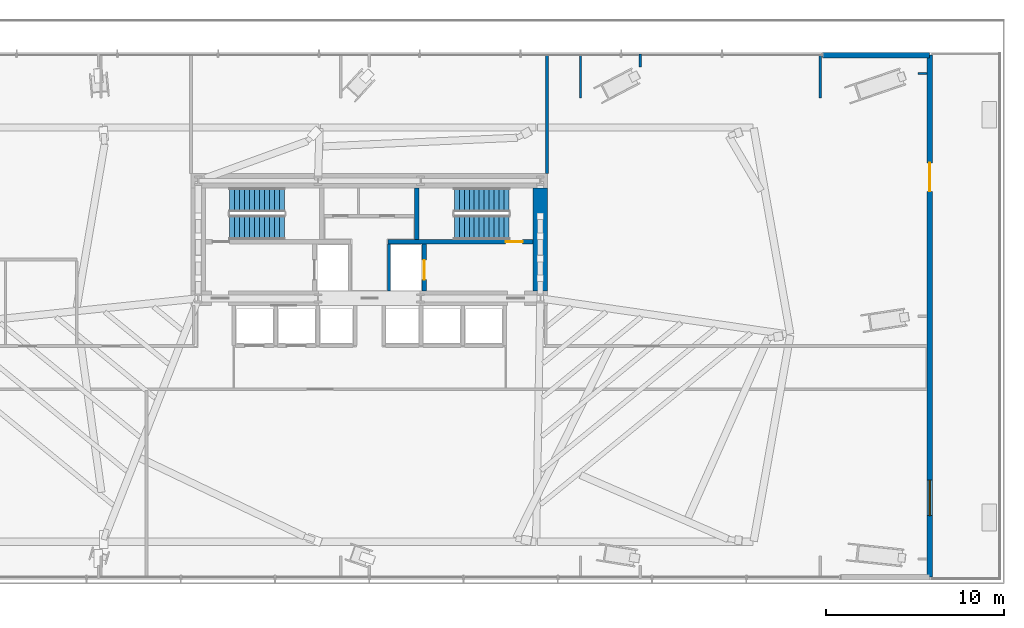
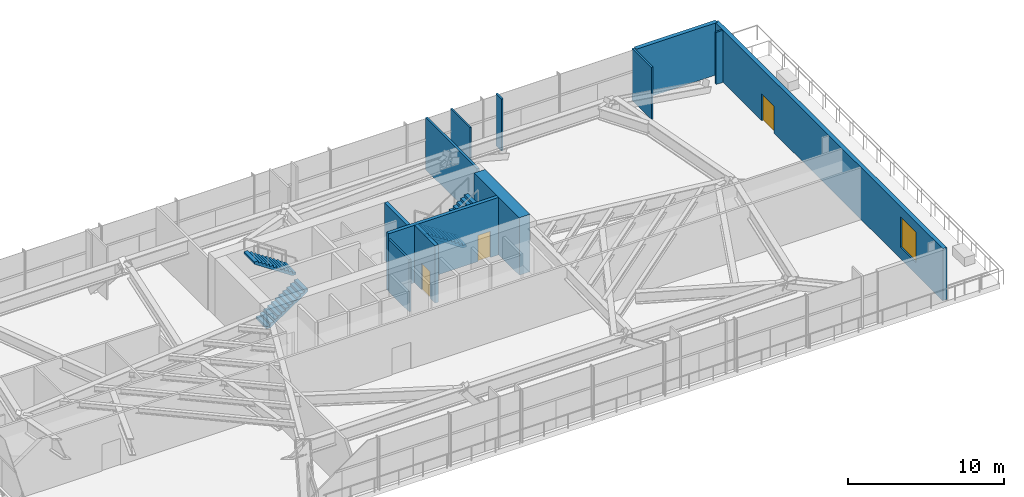
# One storey, part 22 of 29: 12 walls, 4 stair flights, 3 doors, 1 window, 4 openings, 2 elements without a shape of their own.
"""IFC4 building model written with IfcOpenShell, lengths in metres."""

from ifc_helpers import new_model, si_unit, direction, frame, frame_2d, origin, place, context, subcontext, project, spatial, polyline, rectangle, outline, extrude, source, transform, mapped, material, layer, layer_set, type_object, type_shapes, element, fill, aggregate, save


model = new_model("IFC4")

# Units and contexts
model_context = context("Model", 3, precision=1e-05, world=origin(), true_north=direction((0.0, 1.0)))
body_context = subcontext(model_context, "Body", "Model", "MODEL_VIEW")
ifc_project = project(units=[si_unit("LENGTHUNIT", "METRE"), si_unit("AREAUNIT", "SQUARE_METRE"), si_unit("VOLUMEUNIT", "CUBIC_METRE"), si_unit("PLANEANGLEUNIT", "RADIAN"), si_unit("MASSUNIT", "GRAM", prefix="KILO")], contexts=[model_context])

# Site, building, storey
site_placement = place(None, origin())
site = spatial("IfcSite", under=ifc_project, at=site_placement, CompositionType="ELEMENT")
building_placement = place(site_placement, origin())
building = spatial("IfcBuilding", under=site, at=building_placement, Name="Astriad Promenade Condominiums", CompositionType="ELEMENT")
storey_placement = place(building_placement, frame((0.0, 0.0, 18.5)))
storey = spatial("IfcBuildingStorey", under=building, at=storey_placement, Name="L04", CompositionType="ELEMENT", Elevation=18.5)

# Wall
ifc_material_1 = material(Name="Concrete C80/95", Category="concrete")
ifc_layer_1 = layer(ifc_material_1, 0.800048828125)
ifc_layer_set_1 = layer_set([ifc_layer_1], Name="Concrete C80/95")
wall_type_1 = type_object("IfcWallType", Name="CW-SHEAR-800", PredefinedType="SHEAR", material=ifc_layer_set_1)
wall_1_placement = place(storey_placement, frame((45.60009765625, 17.802001953125, 0.0), z_axis=(0.0, 0.0, 1.0), x_axis=(0.0, 1.0, 0.0)))
element("IfcWall", 1, at=wall_1_placement, inside=storey, type_object=wall_type_1, Name="CW-CORE-E-L04", PredefinedType="SHEAR", context=body_context, shape_type="SweptSolid", body=[
    extrude(rectangle(XDim=5.7958984375, YDim=0.800048828125, at=frame_2d((2.89794921875, 0.0))), origin(), (0.0, 0.0, 1.0), 4.5),
])

# Wall, opening, door
ifc_material_2 = material(Name="Concrete C50/60", Category="concrete")
ifc_layer_2 = layer(ifc_material_2, 0.25)
ifc_layer_set_2 = layer_set([ifc_layer_2], Name="Concrete C50/60")
wall_type_2 = type_object("IfcWallType", Name="WALL-CORE-INT-250", PredefinedType="SOLIDWALL", material=ifc_layer_set_2)
wall_2_placement = place(storey_placement, frame((37.050048828125, 20.574951171875, 0.0), z_axis=(0.0, 0.0, 1.0), x_axis=(1.0, 0.0, 0.0)))
wall_2 = element("IfcWall", 2, at=wall_2_placement, inside=storey, type_object=wall_type_2, Name="CW-INT-H2-L04", PredefinedType="SOLIDWALL", context=body_context, shape_type="SweptSolid", body=[
    extrude(rectangle(XDim=8.14794921875, YDim=0.25, at=frame_2d((4.073974609375, 0.0))), origin(), (0.0, 0.0, 1.0), 4.5),
])
opening_1_placement = place(wall_2_placement, frame((6.60009765625, 0.0, 0.0)))
opening_1 = element("IfcOpeningElement", 3, at=opening_1_placement, cuts=wall_2, Name="Opening FD90-ST-095", PredefinedType="OPENING", context=body_context, shape_type="SweptSolid", body=[
    extrude(rectangle(XDim=0.949951171875, YDim=2.06005859375, at=frame_2d((0.47509765625, 1.030029296875))), frame((0.0, 0.135009765625, 0.0), z_axis=(0.0, -1.0, 0.0), x_axis=(1.0, 0.0, 0.0)), (0.0, 0.0, 1.0), 0.27001953125),
])
ifc_material_3 = material(Name="Fire-Rated Hollow Metal Stair Door")
door_type_1 = type_object("IfcDoorType", Name="FD90-ST-095", OperationType="NOTDEFINED", PredefinedType="DOOR", material=ifc_material_3)
shared_shape_1 = source(origin(), body_context, "Body", "SweptSolid", [
    extrude(rectangle(XDim=0.949951171875, YDim=2.06005859375, at=frame_2d((0.47509765625, 1.030029296875))), frame((0.0, 0.02490234375, 0.0), z_axis=(0.0, -1.0, 0.0), x_axis=(1.0, 0.0, 0.0)), (0.0, 0.0, 1.0), 0.050048828125),
])
type_shapes(door_type_1, [shared_shape_1])
door_1_placement = place(opening_1_placement, origin())
door_1 = element("IfcDoor", 4, at=door_1_placement, inside=storey, type_object=door_type_1, Name="D-ST2-L04", OperationType="SINGLE_SWING_RIGHT", OverallHeight=2.06005859375, OverallWidth=0.949951171875, PredefinedType="DOOR", context=body_context, shape_type="MappedRepresentation", body=[
    mapped(shared_shape_1, transform((0.0, 0.0, 0.0), scale=1.0)),
])
fill(opening_1, door_1)

# Wall
wall_3_placement = place(storey_placement, frame((38.675048828125, 20.701904296875, 0.0), z_axis=(0.0, 0.0, 1.0), x_axis=(0.0, 1.0, 0.0)))
element("IfcWall", 5, at=wall_3_placement, inside=storey, type_object=wall_type_2, Name="CW-ST2-W-L04", PredefinedType="SOLIDWALL", context=body_context, shape_type="SweptSolid", body=[
    extrude(rectangle(XDim=2.89599609375, YDim=0.25, at=frame_2d((1.447998046875, 0.0))), origin(), (0.0, 0.0, 1.0), 4.5),
])

# Wall, opening, door
wall_4_placement = place(storey_placement, frame((39.074951171875, 17.802001953125, 0.0), z_axis=(0.0, 0.0, 1.0), x_axis=(0.0, 1.0, 0.0)))
wall_4 = element("IfcWall", 6, at=wall_4_placement, inside=storey, type_object=wall_type_2, Name="CW-FFL2-E-L04", PredefinedType="SOLIDWALL", context=body_context, shape_type="SweptSolid", body=[
    extrude(rectangle(XDim=2.64599609375, YDim=0.25, at=frame_2d((1.322998046875, 0.0))), origin(), (0.0, 0.0, 1.0), 4.5),
])
opening_2_placement = place(wall_4_placement, frame((0.64794921875, 0.0, 0.0)))
opening_2 = element("IfcOpeningElement", 7, at=opening_2_placement, cuts=wall_4, Name="Opening LD-FFL-1122", PredefinedType="OPENING", context=body_context, shape_type="SweptSolid", body=[
    extrude(rectangle(XDim=1.10009765625, YDim=2.080078125, at=frame_2d((0.550048828125, 1.0400390625))), frame((0.0, 0.135009765625, 0.0), z_axis=(0.0, -1.0, 0.0), x_axis=(1.0, 0.0, 0.0)), (0.0, 0.0, 1.0), 0.27001953125),
])
ifc_material_4 = material(Name="Brushed Stainless Steel Fire Elevator Landing Door", Category="steel")
door_type_2 = type_object("IfcDoorType", Name="LD-FFL-1122", OperationType="NOTDEFINED", PredefinedType="DOOR", material=ifc_material_4)
shared_shape_2 = source(origin(), body_context, "Body", "SweptSolid", [
    extrude(rectangle(XDim=1.10009765625, YDim=2.080078125, at=frame_2d((0.550048828125, 1.0400390625))), frame((0.0, 0.02490234375, 0.0), z_axis=(0.0, -1.0, 0.0), x_axis=(1.0, 0.0, 0.0)), (0.0, 0.0, 1.0), 0.050048828125),
])
type_shapes(door_type_2, [shared_shape_2])
door_2_placement = place(opening_2_placement, origin())
door_2 = element("IfcDoor", 8, at=door_2_placement, inside=storey, type_object=door_type_2, Name="Elevator Landing Door FFL-2 (L04)", OperationType="SLIDING_TO_RIGHT", OverallHeight=2.080078125, OverallWidth=1.10009765625, PredefinedType="DOOR", context=body_context, shape_type="MappedRepresentation", body=[
    mapped(shared_shape_2, transform((0.0, 0.0, 0.0), scale=1.0)),
])
fill(opening_2, door_2)

# Walls
ifc_material_5 = material(Name="Fire-Rated Gypsum Partition")
ifc_layer_3 = layer(ifc_material_5, 0.159912109375)
ifc_layer_set_3 = layer_set([ifc_layer_3], Name="Fire-Rated Gypsum Partition")
wall_type_3 = type_object("IfcWallType", Name="WALL-CORR-160", PredefinedType="PARTITIONING", material=ifc_layer_set_3)
wall_5_placement = place(storey_placement, frame((37.10009765625, 17.802001953125, 0.0), z_axis=(0.0, 0.0, 1.0), x_axis=(0.0, 1.0, 0.0)))
element("IfcWall", 9, at=wall_5_placement, inside=storey, type_object=wall_type_3, Name="CW-FFL2-W-L04", PredefinedType="PARTITIONING", context=body_context, shape_type="SweptSolid", body=[
    extrude(rectangle(XDim=2.64599609375, YDim=0.159912109375, at=frame_2d((1.322998046875, 0.0))), origin(), (0.0, 0.0, 1.0), 4.080078125),
])
wall_6_placement = place(storey_placement, frame((45.97998046875, 24.419921875, 0.0), z_axis=(0.0, 0.0, 1.0), x_axis=(0.0, 1.0, 0.0)))
element("IfcWall", 10, at=wall_6_placement, inside=storey, type_object=wall_type_3, Name="PT-L04-ESE", PredefinedType="PARTITIONING", context=body_context, shape_type="SweptSolid", body=[
    extrude(rectangle(XDim=6.630126953125, YDim=0.159912109375, at=frame_2d((3.31494140625, 0.0))), origin(), (0.0, 0.0, 1.0), 4.080078125),
])
ifc_material_6 = material(Name="Precast concrete C50/60", Category="concrete")
ifc_layer_4 = layer(ifc_material_6, 0.300048828125)
ifc_layer_set_4 = layer_set([ifc_layer_4], Name="Precast concrete C50/60")
wall_type_4 = type_object("IfcWallType", Name="WALL-EXT-POD-300", PredefinedType="STANDARD", material=ifc_layer_set_4)
wall_7_placement = place(storey_placement, frame((61.449951171875, 31.050048828125, 0.0), z_axis=(0.0, 0.0, 1.0), x_axis=(1.0, 0.0, 0.0)))
element("IfcWall", 11, at=wall_7_placement, inside=storey, type_object=wall_type_4, Name="W-EXT-L04-N2", PredefinedType="STANDARD", context=body_context, shape_type="SweptSolid", body=[
    extrude(rectangle(XDim=6.0, YDim=0.300048828125, at=frame_2d((3.0, 0.0))), origin(), (0.0, 0.0, 1.0), 4.080078125),
])

# Wall, openings, window, door
wall_8_placement = place(storey_placement, frame((67.449951171875, 31.050048828125, 0.0), z_axis=(0.0, 0.0, 1.0), x_axis=(0.0, -1.0, 0.0)))
wall_8 = element("IfcWall", 12, at=wall_8_placement, inside=storey, type_object=wall_type_4, Name="W-EXT-L04-E1", PredefinedType="STANDARD", context=body_context, shape_type="SweptSolid", body=[
    extrude(rectangle(XDim=29.300048828125, YDim=0.300048828125, at=frame_2d((14.64990234375, 0.0))), origin(), (0.0, 0.0, 1.0), 4.080078125),
])
opening_3_placement = place(wall_8_placement, frame((6.050048828125, 0.0, 0.0)))
opening_3 = element("IfcOpeningElement", 13, at=opening_3_placement, cuts=wall_8, Name="Opening TD-1622-TER", PredefinedType="OPENING", context=body_context, shape_type="SweptSolid", body=[
    extrude(rectangle(XDim=1.60009765625, YDim=2.10009765625, at=frame_2d((0.800048828125, 1.050048828125))), frame((0.0, 0.159912109375, 0.0), z_axis=(0.0, -1.0, 0.0), x_axis=(1.0, 0.0, 0.0)), (0.0, 0.0, 1.0), 0.320068359375),
])
opening_4_placement = place(wall_8_placement, frame((23.85009765625, 0.0, 0.89990234375)))
opening_4 = element("IfcOpeningElement", 14, at=opening_4_placement, cuts=wall_8, Name="Opening WIN-POD-2024", PredefinedType="OPENING", context=body_context, shape_type="SweptSolid", body=[
    extrude(rectangle(XDim=2.0, YDim=2.39990234375, at=frame_2d((1.0, 1.199951171875))), frame((0.0, 0.159912109375, 0.0), z_axis=(0.0, -1.0, 0.0), x_axis=(1.0, 0.0, 0.0)), (0.0, 0.0, 1.0), 0.320068359375),
])
ifc_material_7 = material(Name="Dark Tinted Storefront Window")
window_type = type_object("IfcWindowType", Name="WIN-POD-2024", PartitioningType="SINGLE_PANEL", PredefinedType="WINDOW", material=ifc_material_7)
shared_shape_3 = source(origin(), body_context, "Body", "SweptSolid", [
    extrude(rectangle(XDim=2.0, YDim=2.39990234375, at=frame_2d((1.0, 1.199951171875))), frame((0.0, 0.030029296875, 0.0), z_axis=(0.0, -1.0, 0.0), x_axis=(1.0, 0.0, 0.0)), (0.0, 0.0, 1.0), 0.06005859375),
])
type_shapes(window_type, [shared_shape_3])
window_placement = place(opening_4_placement, origin())
window = element("IfcWindow", 15, at=window_placement, inside=storey, type_object=window_type, Name="WIN-L04-E1", OverallHeight=2.39990234375, OverallWidth=2.0, PartitioningType="SINGLE_PANEL", PredefinedType="WINDOW", context=body_context, shape_type="MappedRepresentation", body=[
    mapped(shared_shape_3, transform((0.0, 0.0, 0.0), scale=1.0)),
])
fill(opening_4, window)
ifc_material_8 = material(Name="Thermally Broken Aluminium Terrace Double Door", Category="aluminium")
door_type_3 = type_object("IfcDoorType", Name="TD-1622-TER", OperationType="NOTDEFINED", PredefinedType="DOOR", material=ifc_material_8)
shared_shape_4 = source(origin(), body_context, "Body", "SweptSolid", [
    extrude(rectangle(XDim=1.60009765625, YDim=2.10009765625, at=frame_2d((0.800048828125, 1.050048828125))), frame((0.0, 0.02490234375, 0.0), z_axis=(0.0, -1.0, 0.0), x_axis=(1.0, 0.0, 0.0)), (0.0, 0.0, 1.0), 0.050048828125),
])
type_shapes(door_type_3, [shared_shape_4])
door_3_placement = place(opening_3_placement, origin())
door_3 = element("IfcDoor", 16, at=door_3_placement, inside=storey, type_object=door_type_3, Name="TD-L04", OperationType="DOUBLE_DOOR_SINGLE_SWING", OverallHeight=2.10009765625, OverallWidth=1.60009765625, PredefinedType="DOOR", context=body_context, shape_type="MappedRepresentation", body=[
    mapped(shared_shape_4, transform((0.0, 0.0, 0.0), scale=1.0)),
])
fill(opening_3, door_3)

# Walls
ifc_material_9 = material(Name="Acoustic Metal-Stud Gypsum Partition")
ifc_layer_5 = layer(ifc_material_9, 0.1201171875)
ifc_layer_set_5 = layer_set([ifc_layer_5], Name="Acoustic Metal-Stud Gypsum Partition")
wall_type_5 = type_object("IfcWallType", Name="WALL-PART-120", PredefinedType="PARTITIONING", material=ifc_layer_set_5)
for number, where, z_axis, x_axis, name in (
    (17, (47.85498046875, 28.64990234375, 0.0), (0.0, 0.0, 1.0), (0.0, 1.0, 0.0), "PT-PIL-L04-PC09-16"),
    (18, (61.31005859375, 28.64990234375, 0.0), (0.0, 0.0, 1.0), (0.0, 1.0, 0.0), "PT-PIL-L04-PC10-17"),
):
    element("IfcWall", number, at=place(storey_placement, frame(where, z_axis=z_axis, x_axis=x_axis)), inside=storey, type_object=wall_type_5, Name=name, PredefinedType="PARTITIONING", context=body_context, shape_type="SweptSolid", body=[
        extrude(rectangle(XDim=2.47021484375, YDim=0.1201171875, at=frame_2d((1.235107421875, 0.0))), origin(), (0.0, 0.0, 1.0), 4.080078125),
    ])
wall_9_placement = place(storey_placement, frame((51.2099609375, 30.39990234375, 0.0), z_axis=(0.0, 0.0, 1.0), x_axis=(0.0, 1.0, 0.0)))
element("IfcWall", 19, at=wall_9_placement, inside=storey, type_object=wall_type_5, Name="PT-PIL-L04-PC09-28", PredefinedType="PARTITIONING", context=body_context, shape_type="SweptSolid", body=[
    extrude(rectangle(XDim=0.72021484375, YDim=0.1201171875, at=frame_2d((0.360107421875, 0.0))), origin(), (0.0, 0.0, 1.0), 4.080078125),
])
wall_10_placement = place(storey_placement, frame((66.800048828125, 30.02001953125, 0.0), z_axis=(0.0, 0.0, 1.0), x_axis=(1.0, 0.0, 0.0)))
element("IfcWall", 20, at=wall_10_placement, inside=storey, type_object=wall_type_5, Name="PT-PIL-L04-PC10-29", PredefinedType="PARTITIONING", context=body_context, shape_type="SweptSolid", body=[
    extrude(rectangle(XDim=0.498046875, YDim=0.1201171875, at=frame_2d((0.2490234375, 0.0))), origin(), (0.0, 0.0, 1.0), 4.080078125),
])

# Stair, stair flights
stair_type = type_object("IfcStairType", Name="STR-CORE-1350", PredefinedType="HALF_TURN_STAIR", material=ifc_material_2)
stair_1_placement = place(storey_placement, origin())
stair_1 = element("IfcStair", 21, at=stair_1_placement, inside=storey, type_object=stair_type, Name="L04 Enclosed Core Exit Stair ST-1", PredefinedType="HALF_TURN_STAIR")
stair_flight_type = type_object("IfcStairFlightType", Name="SFL-CORE-1350", PredefinedType="STRAIGHT", material=ifc_material_2)
shared_shape_5 = source(origin(), body_context, "Body", "SweptSolid", [
    extrude(outline(polyline([(0.0, 0.0), (0.0, 0.1875), (0.280029296875, 0.1875), (0.280029296875, 0.375), (0.56005859375, 0.375), (0.56005859375, 0.5625), (0.840087890625, 0.5625), (0.840087890625, 0.75), (1.1201171875, 0.75), (1.1201171875, 0.9375), (1.39990234375, 0.9375), (1.39990234375, 1.125), (1.679931640625, 1.125), (1.679931640625, 1.3125), (1.9599609375, 1.3125), (1.9599609375, 1.5), (2.239990234375, 1.5), (2.239990234375, 1.6875), (2.52001953125, 1.6875), (2.52001953125, 1.875), (2.800048828125, 1.875), (2.800048828125, 2.0625), (3.080078125, 2.0625), (3.080078125, 2.25), (3.080078125, 1.882080078125), (0.26953125, 0.0), (0.0, 0.0)])), frame((0.0, 0.675048828125, 0.0), z_axis=(0.0, -1.0, 0.0), x_axis=(1.0, 0.0, 0.0)), (0.0, 0.0, 1.0), 1.35009765625),
])
type_shapes(stair_flight_type, [shared_shape_5])
stair_flight_1_placement = place(storey_placement, frame((28.14990234375, 21.375, 0.0), z_axis=(0.0, 0.0, 1.0), x_axis=(1.0, 0.0, 0.0)))
stair_flight_1 = element("IfcStairFlight", 22, at=stair_flight_1_placement, type_object=stair_flight_type, Name="ST-1 flight 1", NumberOfRisers=12, NumberOfTreads=11, PredefinedType="STRAIGHT", RiserHeight=0.1875, TreadLength=0.28, context=body_context, shape_type="MappedRepresentation", body=[
    mapped(shared_shape_5, transform((0.0, 0.0, 0.0), scale=1.0)),
])
stair_flight_2_placement = place(storey_placement, frame((31.22998046875, 22.925048828125, 2.25), z_axis=(0.0, 0.0, 1.0), x_axis=(-1.0, 0.0, 0.0)))
stair_flight_2 = element("IfcStairFlight", 23, at=stair_flight_2_placement, type_object=stair_flight_type, Name="ST-1 flight 2", NumberOfRisers=12, NumberOfTreads=11, PredefinedType="STRAIGHT", RiserHeight=0.1875, TreadLength=0.28, context=body_context, shape_type="MappedRepresentation", body=[
    mapped(shared_shape_5, transform((0.0, 0.0, 0.0), scale=1.0)),
])
aggregate(stair_1, [stair_flight_1, stair_flight_2])

stair_2_placement = place(storey_placement, origin())
stair_2 = element("IfcStair", 24, at=stair_2_placement, inside=storey, type_object=stair_type, Name="L04 Enclosed Core Exit Stair ST-2", PredefinedType="HALF_TURN_STAIR")
stair_flight_3_placement = place(storey_placement, frame((43.85009765625, 22.925048828125, 0.0), z_axis=(0.0, 0.0, 1.0), x_axis=(-1.0, 0.0, 0.0)))
stair_flight_3 = element("IfcStairFlight", 25, at=stair_flight_3_placement, type_object=stair_flight_type, Name="ST-2 flight 1", NumberOfRisers=12, NumberOfTreads=11, PredefinedType="STRAIGHT", RiserHeight=0.1875, TreadLength=0.28, context=body_context, shape_type="MappedRepresentation", body=[
    mapped(shared_shape_5, transform((0.0, 0.0, 0.0), scale=1.0)),
])
stair_flight_4_placement = place(storey_placement, frame((40.77001953125, 21.375, 2.25), z_axis=(0.0, 0.0, 1.0), x_axis=(1.0, 0.0, 0.0)))
stair_flight_4 = element("IfcStairFlight", 26, at=stair_flight_4_placement, type_object=stair_flight_type, Name="ST-2 flight 2", NumberOfRisers=12, NumberOfTreads=11, PredefinedType="STRAIGHT", RiserHeight=0.1875, TreadLength=0.28, context=body_context, shape_type="MappedRepresentation", body=[
    mapped(shared_shape_5, transform((0.0, 0.0, 0.0), scale=1.0)),
])
aggregate(stair_2, [stair_flight_3, stair_flight_4])

save(model, "model.ifc")
